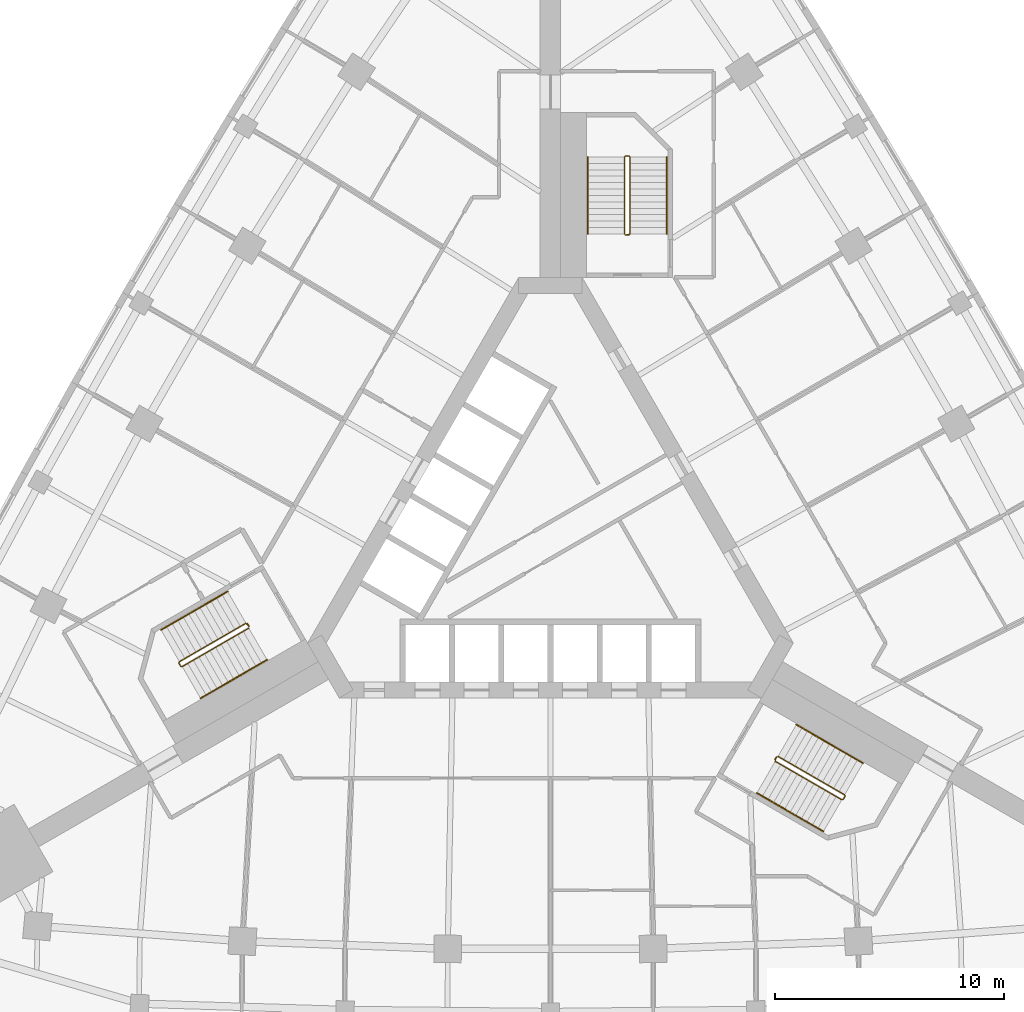
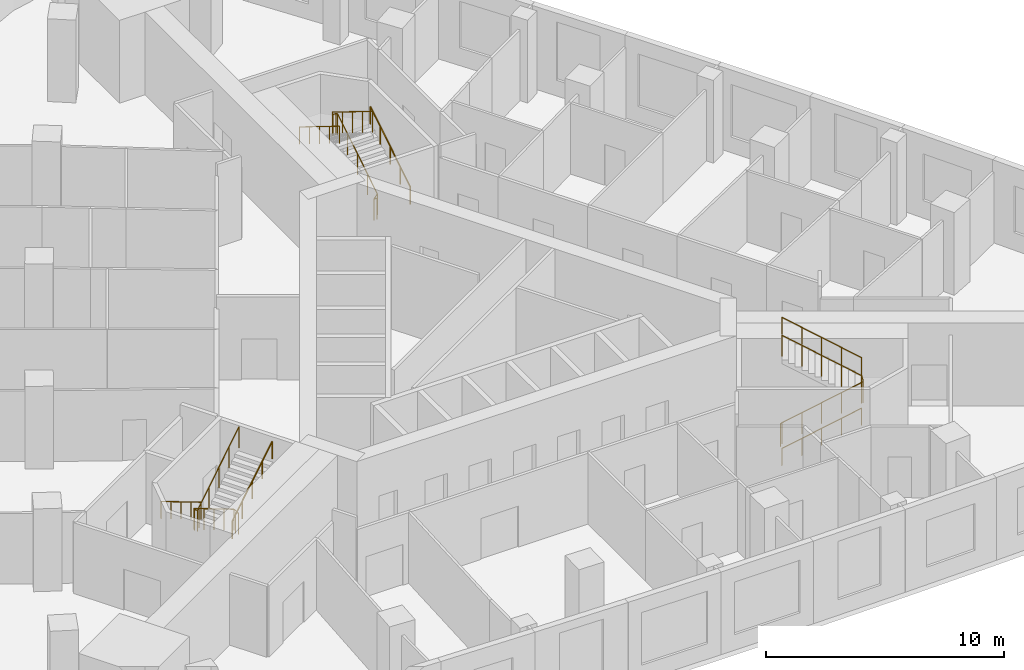
# One storey, part 11 of 11: 9 railings.
"""IFC4 building model written with IfcOpenShell, lengths in metres."""

from ifc_helpers import new_model, si_unit, direction, frame, origin, origin_2d, place, context, subcontext, project, spatial, circle, extrude, material, type_object, element, save


model = new_model("IFC4")

# Units and contexts
model_context = context("Model", 3, precision=1e-05, world=origin(), true_north=direction((0.0, 1.0)))
body_context = subcontext(model_context, "Body", "Model", "MODEL_VIEW")
ifc_project = project(units=[si_unit("LENGTHUNIT", "METRE"), si_unit("AREAUNIT", "SQUARE_METRE"), si_unit("VOLUMEUNIT", "CUBIC_METRE"), si_unit("PLANEANGLEUNIT", "RADIAN"), si_unit("MASSUNIT", "GRAM", prefix="KILO")], contexts=[model_context])

# Site, building, storey
site_placement = place(None, origin())
site = spatial("IfcSite", under=ifc_project, at=site_placement, CompositionType="ELEMENT")
building_placement = place(site_placement, origin())
building = spatial("IfcBuilding", under=site, at=building_placement, Name="Noor Cloister Tower", CompositionType="ELEMENT")
storey_placement = place(building_placement, frame((0.0, 0.0, 6.0)))
storey = spatial("IfcBuildingStorey", under=building, at=storey_placement, Name="L01", CompositionType="ELEMENT", Elevation=6.0)

# Railings
ifc_material_1 = material(Name="Stainless steel", Category="steel")
railing_type_1 = type_object("IfcRailingType", Name="Stair guard 1100", PredefinedType="GUARDRAIL", material=ifc_material_1)
railing_1_placement = place(storey_placement, frame((3.435546875, 13.306396484375, 0.0)))
element("IfcRailing", 1, at=railing_1_placement, inside=storey, type_object=railing_type_1, Name="Stair guard ST1 L01", PredefinedType="GUARDRAIL", context=body_context, shape_type="SweptSolid", body=[
    extrude(circle(Radius=0.02392578125, at=origin_2d()), frame((0.0, 0.0, 1.076171875), z_axis=(-1.0, 0.0, 0.0), x_axis=(0.0, -1.0, 0.0)), (0.0, 0.0, 1.0), 0.14990234375),
    extrude(circle(Radius=0.02392578125, at=origin_2d()), frame((-0.14990234375, 0.0, 1.076171875), z_axis=(0.742869136974, 0.185944045274, 0.643094283413), x_axis=(-0.242814311512, 0.970072785993, 0.0)), (0.0, 0.0, 1.0), 0.26904296875),
    extrude(circle(Radius=0.02392578125, at=origin_2d()), frame((0.050048828125, 0.050048828125, 1.2490234375), z_axis=(0.0, 0.850606129759, 0.525803396734), x_axis=(-1.0, 0.0, 0.0)), (0.0, 0.0, 1.0), 3.949951171875),
    extrude(circle(Radius=0.02392578125, at=origin_2d()), frame((0.050048828125, 3.409912109375, 3.326171875), z_axis=(-0.707106781187, 0.707106781187, 0.0), x_axis=(-0.707106781187, -0.707106781187, 0.0)), (0.0, 0.0, 1.0), 0.07080078125),
    extrude(circle(Radius=0.02392578125, at=origin_2d()), frame((0.0, 3.4599609375, 3.326171875), z_axis=(-1.0, 0.0, 0.0), x_axis=(0.0, -1.0, 0.0)), (0.0, 0.0, 1.0), 0.14990234375),
    extrude(circle(Radius=0.02392578125, at=origin_2d()), frame((-0.14990234375, 3.4599609375, 3.326171875), z_axis=(-0.267629722418, -0.267629722418, 0.925607186314), x_axis=(0.707106781187, -0.707106781187, 0.0)), (0.0, 0.0, 1.0), 0.18701171875),
    extrude(circle(Radius=0.02392578125, at=origin_2d()), frame((-0.199951171875, 3.409912109375, 3.4990234375), z_axis=(0.0, -0.850606129759, 0.525803396734), x_axis=(1.0, 0.0, 0.0)), (0.0, 0.0, 1.0), 3.949951171875),
    extrude(circle(Radius=0.02099609375, at=origin_2d()), origin(), (0.0, 0.0, 1.0), 1.052001953125),
    extrude(circle(Radius=0.02099609375, at=origin_2d()), frame((-0.14990234375, 0.0, 0.0)), (0.0, 0.0, 1.0), 1.052001953125),
    extrude(circle(Radius=0.02099609375, at=origin_2d()), frame((0.050048828125, 0.050048828125, 0.173095703125)), (0.0, 0.0, 1.0), 1.052001953125),
    extrude(circle(Radius=0.02099609375, at=origin_2d()), frame((0.050048828125, 0.89013671875, 0.6923828125)), (0.0, 0.0, 1.0), 1.052001953125),
    extrude(circle(Radius=0.02099609375, at=origin_2d()), frame((0.050048828125, 1.72998046875, 1.21142578125)), (0.0, 0.0, 1.0), 1.052001953125),
    extrude(circle(Radius=0.02099609375, at=origin_2d()), frame((0.050048828125, 2.56982421875, 1.730712890625)), (0.0, 0.0, 1.0), 1.052001953125),
    extrude(circle(Radius=0.02099609375, at=origin_2d()), frame((0.050048828125, 3.409912109375, 2.25)), (0.0, 0.0, 1.0), 1.052001953125),
    extrude(circle(Radius=0.02099609375, at=origin_2d()), frame((0.0, 3.4599609375, 2.25)), (0.0, 0.0, 1.0), 1.052001953125),
    extrude(circle(Radius=0.02099609375, at=origin_2d()), frame((-0.14990234375, 3.4599609375, 2.25)), (0.0, 0.0, 1.0), 1.052001953125),
    extrude(circle(Radius=0.02099609375, at=origin_2d()), frame((-0.199951171875, 3.409912109375, 2.423095703125)), (0.0, 0.0, 1.0), 1.052001953125),
    extrude(circle(Radius=0.02099609375, at=origin_2d()), frame((-0.199951171875, 2.56982421875, 2.9423828125)), (0.0, 0.0, 1.0), 1.052001953125),
    extrude(circle(Radius=0.02099609375, at=origin_2d()), frame((-0.199951171875, 1.72998046875, 3.46142578125)), (0.0, 0.0, 1.0), 1.052001953125),
    extrude(circle(Radius=0.02099609375, at=origin_2d()), frame((-0.199951171875, 0.89013671875, 3.980712890625)), (0.0, 0.0, 1.0), 1.052001953125),
    extrude(circle(Radius=0.02099609375, at=origin_2d()), frame((-0.199951171875, 0.050048828125, 4.5)), (0.0, 0.0, 1.0), 1.052001953125),
])
railing_2_placement = place(storey_placement, frame((-13.241455078125, -3.677734375, 0.0)))
element("IfcRailing", 2, at=railing_2_placement, inside=storey, type_object=railing_type_1, Name="Stair guard ST2 L01", PredefinedType="GUARDRAIL", context=body_context, shape_type="SweptSolid", body=[
    extrude(circle(Radius=0.02392578125, at=origin_2d()), frame((0.0, 0.0, 1.076171875), z_axis=(0.499112439033, -0.866537231285, 0.0), x_axis=(0.866537231285, 0.499112439033, 0.0)), (0.0, 0.0, 1.0), 0.150146484375),
    extrude(circle(Radius=0.02392578125, at=origin_2d()), frame((0.074951171875, -0.130126953125, 1.076171875), z_axis=(-0.532384093884, 0.550523245294, 0.643032917485), x_axis=(-0.718850276695, -0.695164929852, 0.0)), (0.0, 0.0, 1.0), 0.269287109375),
    extrude(circle(Radius=0.02392578125, at=origin_2d()), frame((-0.068359375, 0.01806640625, 1.2490234375), z_axis=(-0.736667954249, -0.425288379326, 0.525785240943), x_axis=(0.499976138585, -0.866039179741, 0.0)), (0.0, 0.0, 1.0), 3.9501953125),
    extrude(circle(Radius=0.02392578125, at=origin_2d()), frame((-2.978271484375, -1.661865234375, 3.326171875), z_axis=(-0.258736085224, -0.965948051503, 0.0), x_axis=(0.965948051503, -0.258736085224, 0.0)), (0.0, 0.0, 1.0), 0.07080078125),
    extrude(circle(Radius=0.02392578125, at=origin_2d()), frame((-2.99658203125, -1.730224609375, 3.326171875), z_axis=(0.501036270542, -0.865426285481, 0.0), x_axis=(0.865426285481, 0.501036270542, 0.0)), (0.0, 0.0, 1.0), 0.150146484375),
    extrude(circle(Radius=0.02392578125, at=origin_2d()), frame((-2.92138671875, -1.860107421875, 3.326171875), z_axis=(0.364418931161, -0.097962078269, 0.926068179905), x_axis=(0.259601060869, 0.965715946433, 0.0)), (0.0, 0.0, 1.0), 0.18701171875),
    extrude(circle(Radius=0.02392578125, at=origin_2d()), frame((-2.853271484375, -1.87841796875, 3.4990234375), z_axis=(0.736648589954, 0.42533900462, 0.52577141998), x_axis=(-0.500030632641, 0.866007717299, 0.0)), (0.0, 0.0, 1.0), 3.9501953125),
    extrude(circle(Radius=0.02099609375, at=origin_2d()), origin(), (0.0, 0.0, 1.0), 1.052001953125),
    extrude(circle(Radius=0.02099609375, at=origin_2d()), frame((0.074951171875, -0.130126953125, 0.0)), (0.0, 0.0, 1.0), 1.052001953125),
    extrude(circle(Radius=0.02099609375, at=origin_2d()), frame((-0.068359375, 0.01806640625, 0.173095703125)), (0.0, 0.0, 1.0), 1.052001953125),
    extrude(circle(Radius=0.02099609375, at=origin_2d()), frame((-0.7958984375, -0.40185546875, 0.6923828125)), (0.0, 0.0, 1.0), 1.052001953125),
    extrude(circle(Radius=0.02099609375, at=origin_2d()), frame((-1.5234375, -0.82177734375, 1.21142578125)), (0.0, 0.0, 1.0), 1.052001953125),
    extrude(circle(Radius=0.02099609375, at=origin_2d()), frame((-2.250732421875, -1.241943359375, 1.730712890625)), (0.0, 0.0, 1.0), 1.052001953125),
    extrude(circle(Radius=0.02099609375, at=origin_2d()), frame((-2.978271484375, -1.661865234375, 2.25)), (0.0, 0.0, 1.0), 1.052001953125),
    extrude(circle(Radius=0.02099609375, at=origin_2d()), frame((-2.99658203125, -1.730224609375, 2.25)), (0.0, 0.0, 1.0), 1.052001953125),
    extrude(circle(Radius=0.02099609375, at=origin_2d()), frame((-2.92138671875, -1.860107421875, 2.25)), (0.0, 0.0, 1.0), 1.052001953125),
    extrude(circle(Radius=0.02099609375, at=origin_2d()), frame((-2.853271484375, -1.87841796875, 2.423095703125)), (0.0, 0.0, 1.0), 1.052001953125),
    extrude(circle(Radius=0.02099609375, at=origin_2d()), frame((-2.125732421875, -1.45849609375, 2.9423828125)), (0.0, 0.0, 1.0), 1.052001953125),
    extrude(circle(Radius=0.02099609375, at=origin_2d()), frame((-1.3984375, -1.038330078125, 3.46142578125)), (0.0, 0.0, 1.0), 1.052001953125),
    extrude(circle(Radius=0.02099609375, at=origin_2d()), frame((-0.6708984375, -0.6181640625, 3.980712890625)), (0.0, 0.0, 1.0), 1.052001953125),
    extrude(circle(Radius=0.02099609375, at=origin_2d()), frame((0.056640625, -0.1982421875, 4.5)), (0.0, 0.0, 1.0), 1.052001953125),
])
railing_3_placement = place(storey_placement, frame((9.805908203125, -9.628662109375, 0.0)))
element("IfcRailing", 3, at=railing_3_placement, inside=storey, type_object=railing_type_1, Name="Stair guard ST3 L01", PredefinedType="GUARDRAIL", context=body_context, shape_type="SweptSolid", body=[
    extrude(circle(Radius=0.02392578125, at=origin_2d()), frame((0.0, 0.0, 1.076171875), z_axis=(0.499112439033, 0.866537231285, 0.0), x_axis=(-0.866537231285, 0.499112439033, 0.0)), (0.0, 0.0, 1.0), 0.150146484375),
    extrude(circle(Radius=0.02392578125, at=origin_2d()), frame((0.074951171875, 0.130126953125, 1.076171875), z_axis=(-0.210401176497, -0.736404117741, 0.642993250589), x_axis=(0.961523947641, -0.274721127897, 0.0)), (0.0, 0.0, 1.0), 0.269287109375),
    extrude(circle(Radius=0.02392578125, at=origin_2d()), frame((0.018310546875, -0.068115234375, 1.2490234375), z_axis=(0.736648589954, -0.42533900462, 0.52577141998), x_axis=(0.500030632641, 0.866007717299, 0.0)), (0.0, 0.0, 1.0), 3.9501953125),
    extrude(circle(Radius=0.02392578125, at=origin_2d()), frame((2.92822265625, -1.748291015625, 3.326171875), z_axis=(0.965715946433, 0.259601060869, 0.0), x_axis=(-0.259601060869, 0.965715946433, 0.0)), (0.0, 0.0, 1.0), 0.070556640625),
    extrude(circle(Radius=0.02392578125, at=origin_2d()), frame((2.996337890625, -1.72998046875, 3.326171875), z_axis=(0.499816412211, 0.866131372301, 0.0), x_axis=(-0.866131372301, 0.499816412211, 0.0)), (0.0, 0.0, 1.0), 0.14990234375),
    extrude(circle(Radius=0.02392578125, at=origin_2d()), frame((3.0712890625, -1.60009765625, 3.326171875), z_axis=(-0.096622130353, 0.365597249983, 0.925744465136), x_axis=(-0.966805641264, -0.255512919477, 0.0)), (0.0, 0.0, 1.0), 0.18701171875),
    extrude(circle(Radius=0.02392578125, at=origin_2d()), frame((3.05322265625, -1.53173828125, 3.4990234375), z_axis=(-0.736667954249, 0.425288379326, 0.525785240943), x_axis=(-0.499976138585, -0.866039179741, 0.0)), (0.0, 0.0, 1.0), 3.9501953125),
    extrude(circle(Radius=0.02099609375, at=origin_2d()), origin(), (0.0, 0.0, 1.0), 1.052001953125),
    extrude(circle(Radius=0.02099609375, at=origin_2d()), frame((0.074951171875, 0.130126953125, 0.0)), (0.0, 0.0, 1.0), 1.052001953125),
    extrude(circle(Radius=0.02099609375, at=origin_2d()), frame((0.018310546875, -0.068115234375, 0.173095703125)), (0.0, 0.0, 1.0), 1.052001953125),
    extrude(circle(Radius=0.02099609375, at=origin_2d()), frame((0.745849609375, -0.48828125, 0.6923828125)), (0.0, 0.0, 1.0), 1.052001953125),
    extrude(circle(Radius=0.02099609375, at=origin_2d()), frame((1.47314453125, -0.908203125, 1.21142578125)), (0.0, 0.0, 1.0), 1.052001953125),
    extrude(circle(Radius=0.02099609375, at=origin_2d()), frame((2.20068359375, -1.328125, 1.730712890625)), (0.0, 0.0, 1.0), 1.052001953125),
    extrude(circle(Radius=0.02099609375, at=origin_2d()), frame((2.92822265625, -1.748291015625, 2.25)), (0.0, 0.0, 1.0), 1.052001953125),
    extrude(circle(Radius=0.02099609375, at=origin_2d()), frame((2.996337890625, -1.72998046875, 2.25)), (0.0, 0.0, 1.0), 1.052001953125),
    extrude(circle(Radius=0.02099609375, at=origin_2d()), frame((3.0712890625, -1.60009765625, 2.25)), (0.0, 0.0, 1.0), 1.052001953125),
    extrude(circle(Radius=0.02099609375, at=origin_2d()), frame((3.05322265625, -1.53173828125, 2.423095703125)), (0.0, 0.0, 1.0), 1.052001953125),
    extrude(circle(Radius=0.02099609375, at=origin_2d()), frame((2.32568359375, -1.11181640625, 2.9423828125)), (0.0, 0.0, 1.0), 1.052001953125),
    extrude(circle(Radius=0.02099609375, at=origin_2d()), frame((1.59814453125, -0.69189453125, 3.46142578125)), (0.0, 0.0, 1.0), 1.052001953125),
    extrude(circle(Radius=0.02099609375, at=origin_2d()), frame((0.870849609375, -0.271728515625, 3.980712890625)), (0.0, 0.0, 1.0), 1.052001953125),
    extrude(circle(Radius=0.02099609375, at=origin_2d()), frame((0.143310546875, 0.148193359375, 4.5)), (0.0, 0.0, 1.0), 1.052001953125),
])
ifc_material_2 = material(Name="Stainless steel", Category="steel")
railing_type_2 = type_object("IfcRailingType", Name="Stair handrail 900", PredefinedType="HANDRAIL", material=ifc_material_2)
railing_4_placement = place(storey_placement, frame((5.085693359375, 13.3564453125, 0.173095703125)))
element("IfcRailing", 4, at=railing_4_placement, inside=storey, type_object=railing_type_2, Name="Stair handrail ST1 L01 1", PredefinedType="HANDRAIL", context=body_context, shape_type="SweptSolid", body=[
    extrude(circle(Radius=0.02392578125, at=origin_2d()), frame((0.0, 0.0, 0.8759765625), z_axis=(0.0, 0.850606129759, 0.525803396734), x_axis=(-1.0, 0.0, 0.0)), (0.0, 0.0, 1.0), 3.949951171875),
    extrude(circle(Radius=0.02099609375, at=origin_2d()), origin(), (0.0, 0.0, 1.0), 0.851806640625),
    extrude(circle(Radius=0.02099609375, at=origin_2d()), frame((0.0, 0.83984375, 0.519287109375)), (0.0, 0.0, 1.0), 0.851806640625),
    extrude(circle(Radius=0.02099609375, at=origin_2d()), frame((0.0, 1.679931640625, 1.03857421875)), (0.0, 0.0, 1.0), 0.851806640625),
    extrude(circle(Radius=0.02099609375, at=origin_2d()), frame((0.0, 2.52001953125, 1.5576171875)), (0.0, 0.0, 1.0), 0.851806640625),
    extrude(circle(Radius=0.02099609375, at=origin_2d()), frame((0.0, 3.35986328125, 2.076904296875)), (0.0, 0.0, 1.0), 0.851806640625),
])
railing_5_placement = place(storey_placement, frame((1.6357421875, 16.71630859375, 2.423095703125)))
element("IfcRailing", 5, at=railing_5_placement, inside=storey, type_object=railing_type_2, Name="Stair handrail ST1 L01 2", PredefinedType="HANDRAIL", context=body_context, shape_type="SweptSolid", body=[
    extrude(circle(Radius=0.02392578125, at=origin_2d()), frame((0.0, 0.0, 0.8759765625), z_axis=(0.0, -0.850606129759, 0.525803396734), x_axis=(1.0, 0.0, 0.0)), (0.0, 0.0, 1.0), 3.949951171875),
    extrude(circle(Radius=0.02099609375, at=origin_2d()), origin(), (0.0, 0.0, 1.0), 0.851806640625),
    extrude(circle(Radius=0.02099609375, at=origin_2d()), frame((0.0, -0.83984375, 0.519287109375)), (0.0, 0.0, 1.0), 0.851806640625),
    extrude(circle(Radius=0.02099609375, at=origin_2d()), frame((0.0, -1.679931640625, 1.03857421875)), (0.0, 0.0, 1.0), 0.851806640625),
    extrude(circle(Radius=0.02099609375, at=origin_2d()), frame((0.0, -2.52001953125, 1.5576171875)), (0.0, 0.0, 1.0), 0.851806640625),
    extrude(circle(Radius=0.02099609375, at=origin_2d()), frame((0.0, -3.35986328125, 2.076904296875)), (0.0, 0.0, 1.0), 0.851806640625),
])
railing_6_placement = place(storey_placement, frame((-14.10986328125, -2.27392578125, 0.173095703125)))
element("IfcRailing", 6, at=railing_6_placement, inside=storey, type_object=railing_type_2, Name="Stair handrail ST2 L01 1", PredefinedType="HANDRAIL", context=body_context, shape_type="SweptSolid", body=[
    extrude(circle(Radius=0.02392578125, at=origin_2d()), frame((0.0, 0.0, 0.8759765625), z_axis=(-0.736639687092, -0.425307743487, 0.525809180911), x_axis=(0.500007602105, -0.866021014662, 0.0)), (0.0, 0.0, 1.0), 3.949951171875),
    extrude(circle(Radius=0.02099609375, at=origin_2d()), origin(), (0.0, 0.0, 1.0), 0.851806640625),
    extrude(circle(Radius=0.02099609375, at=origin_2d()), frame((-0.7275390625, -0.419921875, 0.519287109375)), (0.0, 0.0, 1.0), 0.851806640625),
    extrude(circle(Radius=0.02099609375, at=origin_2d()), frame((-1.454833984375, -0.83984375, 1.03857421875)), (0.0, 0.0, 1.0), 0.851806640625),
    extrude(circle(Radius=0.02099609375, at=origin_2d()), frame((-2.18212890625, -1.260009765625, 1.5576171875)), (0.0, 0.0, 1.0), 0.851806640625),
    extrude(circle(Radius=0.02099609375, at=origin_2d()), frame((-2.90966796875, -1.679931640625, 2.076904296875)), (0.0, 0.0, 1.0), 0.851806640625),
])
railing_7_placement = place(storey_placement, frame((-15.294677734375, -6.941650390625, 2.423095703125)))
element("IfcRailing", 7, at=railing_7_placement, inside=storey, type_object=railing_type_2, Name="Stair handrail ST2 L01 2", PredefinedType="HANDRAIL", context=body_context, shape_type="SweptSolid", body=[
    extrude(circle(Radius=0.02392578125, at=origin_2d()), frame((0.0, 0.0, 0.8759765625), z_axis=(0.736667954249, 0.425288379326, 0.525785240943), x_axis=(-0.499976138585, 0.866039179741, 0.0)), (0.0, 0.0, 1.0), 3.9501953125),
    extrude(circle(Radius=0.02099609375, at=origin_2d()), origin(), (0.0, 0.0, 1.0), 0.851806640625),
    extrude(circle(Radius=0.02099609375, at=origin_2d()), frame((0.7275390625, 0.419921875, 0.519287109375)), (0.0, 0.0, 1.0), 0.851806640625),
    extrude(circle(Radius=0.02099609375, at=origin_2d()), frame((1.455078125, 0.83984375, 1.03857421875)), (0.0, 0.0, 1.0), 0.851806640625),
    extrude(circle(Radius=0.02099609375, at=origin_2d()), frame((2.182373046875, 1.260009765625, 1.5576171875)), (0.0, 0.0, 1.0), 0.851806640625),
    extrude(circle(Radius=0.02099609375, at=origin_2d()), frame((2.909912109375, 1.679931640625, 2.076904296875)), (0.0, 0.0, 1.0), 0.851806640625),
])
railing_8_placement = place(storey_placement, frame((9.024169921875, -11.08251953125, 0.173095703125)))
element("IfcRailing", 8, at=railing_8_placement, inside=storey, type_object=railing_type_2, Name="Stair handrail ST3 L01 1", PredefinedType="HANDRAIL", context=body_context, shape_type="SweptSolid", body=[
    extrude(circle(Radius=0.02392578125, at=origin_2d()), frame((0.0, 0.0, 0.8759765625), z_axis=(0.736667954249, -0.425288379326, 0.525785240943), x_axis=(0.499976138585, 0.866039179741, 0.0)), (0.0, 0.0, 1.0), 3.9501953125),
    extrude(circle(Radius=0.02099609375, at=origin_2d()), origin(), (0.0, 0.0, 1.0), 0.851806640625),
    extrude(circle(Radius=0.02099609375, at=origin_2d()), frame((0.7275390625, -0.419921875, 0.519287109375)), (0.0, 0.0, 1.0), 0.851806640625),
    extrude(circle(Radius=0.02099609375, at=origin_2d()), frame((1.455078125, -0.83984375, 1.03857421875)), (0.0, 0.0, 1.0), 0.851806640625),
    extrude(circle(Radius=0.02099609375, at=origin_2d()), frame((2.182373046875, -1.260009765625, 1.5576171875)), (0.0, 0.0, 1.0), 0.851806640625),
    extrude(circle(Radius=0.02099609375, at=origin_2d()), frame((2.909912109375, -1.679931640625, 2.076904296875)), (0.0, 0.0, 1.0), 0.851806640625),
])
railing_9_placement = place(storey_placement, frame((13.658935546875, -9.774658203125, 2.423095703125)))
element("IfcRailing", 9, at=railing_9_placement, inside=storey, type_object=railing_type_2, Name="Stair handrail ST3 L01 2", PredefinedType="HANDRAIL", context=body_context, shape_type="SweptSolid", body=[
    extrude(circle(Radius=0.02392578125, at=origin_2d()), frame((0.0, 0.0, 0.8759765625), z_axis=(-0.736639687092, 0.425307743487, 0.525809180911), x_axis=(-0.500007602105, -0.866021014662, 0.0)), (0.0, 0.0, 1.0), 3.949951171875),
    extrude(circle(Radius=0.02099609375, at=origin_2d()), origin(), (0.0, 0.0, 1.0), 0.851806640625),
    extrude(circle(Radius=0.02099609375, at=origin_2d()), frame((-0.7275390625, 0.419921875, 0.519287109375)), (0.0, 0.0, 1.0), 0.851806640625),
    extrude(circle(Radius=0.02099609375, at=origin_2d()), frame((-1.454833984375, 0.83984375, 1.03857421875)), (0.0, 0.0, 1.0), 0.851806640625),
    extrude(circle(Radius=0.02099609375, at=origin_2d()), frame((-2.18212890625, 1.260009765625, 1.5576171875)), (0.0, 0.0, 1.0), 0.851806640625),
    extrude(circle(Radius=0.02099609375, at=origin_2d()), frame((-2.90966796875, 1.679931640625, 2.076904296875)), (0.0, 0.0, 1.0), 0.851806640625),
])

save(model, "model.ifc")
